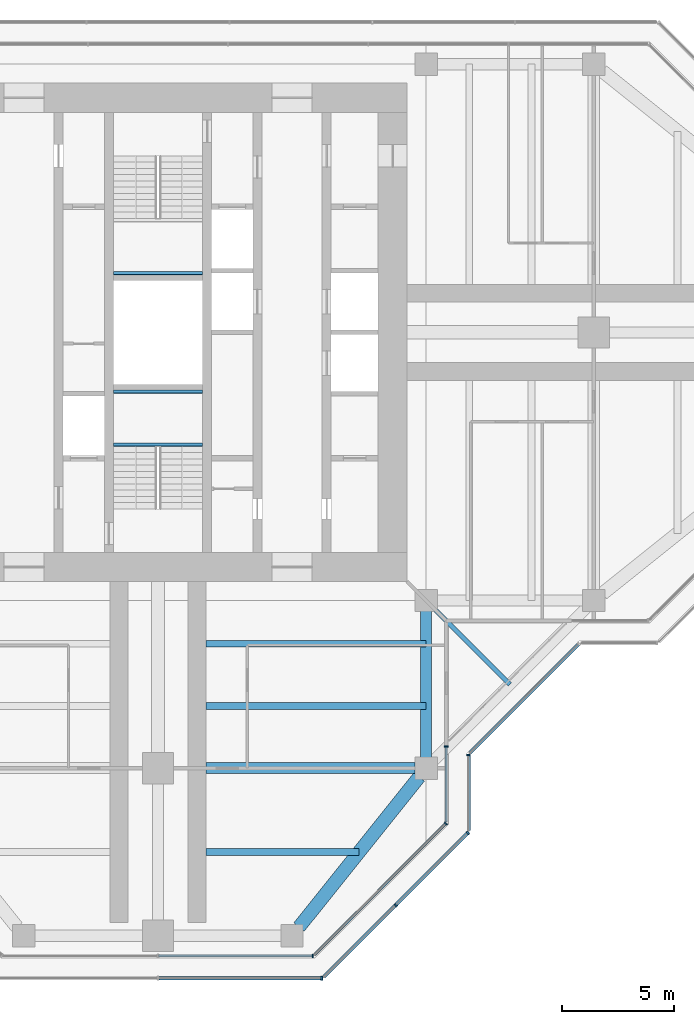
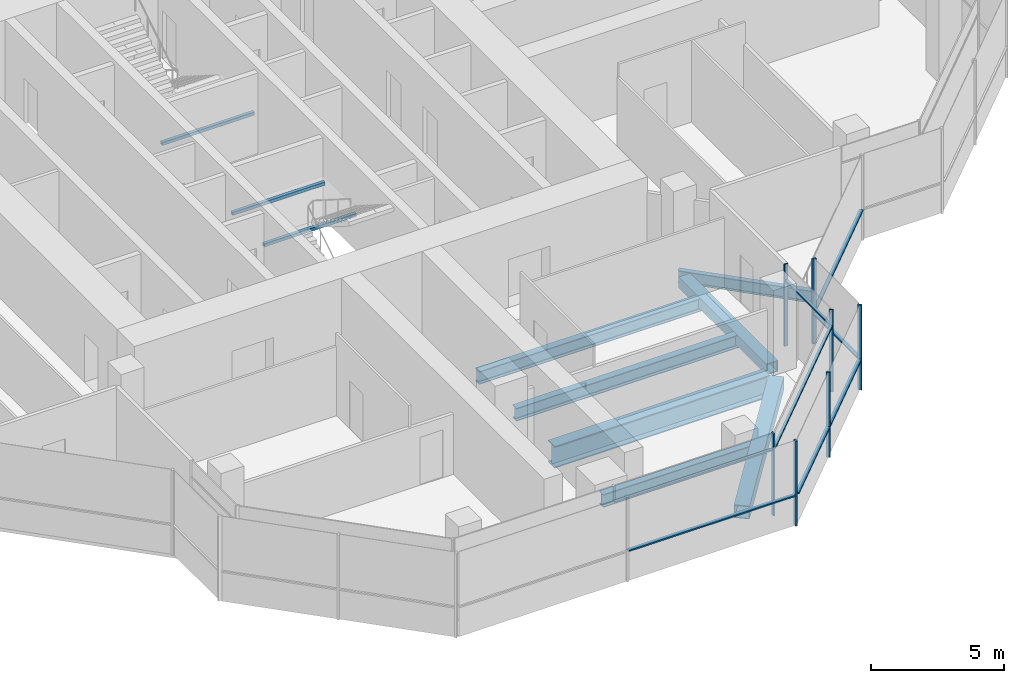
# One storey, part 4 of 16: 15 members, 10 beams, 7 elements without a shape of their own.
"""IFC4 building model written with IfcOpenShell, lengths in metres."""

from ifc_helpers import new_model, si_unit, direction, frame, origin, origin_2d, place, context, subcontext, project, spatial, rectangle, hollow_rectangle, i_section, extrude, material, material_profile, profile_set, type_object, element, aggregate, save


model = new_model("IFC4")

# Units and contexts
model_context = context("Model", 3, precision=1e-05, world=origin(), true_north=direction((0.0, 1.0)))
body_context = subcontext(model_context, "Body", "Model", "MODEL_VIEW")
ifc_project = project(units=[si_unit("LENGTHUNIT", "METRE"), si_unit("AREAUNIT", "SQUARE_METRE"), si_unit("VOLUMEUNIT", "CUBIC_METRE"), si_unit("PLANEANGLEUNIT", "RADIAN"), si_unit("MASSUNIT", "GRAM", prefix="KILO")], contexts=[model_context])

# Site, building, storey
site_placement = place(None, origin())
site = spatial("IfcSite", under=ifc_project, at=site_placement, CompositionType="ELEMENT")
building_placement = place(site_placement, origin())
building = spatial("IfcBuilding", under=site, at=building_placement, Name="Mizan Broadcast Tower", CompositionType="ELEMENT")
storey_placement = place(building_placement, frame((0.0, 0.0, 290.699951171875)))
storey = spatial("IfcBuildingStorey", under=building, at=storey_placement, Name="L69", CompositionType="ELEMENT", Elevation=290.699951171875)

# Beams
ifc_material_1 = material(Name="Steel S355", Category="steel")
ifc_material_profile_1 = material_profile(ifc_material_1, hollow_rectangle(XDim=0.5, YDim=0.5, WallThickness=0.030029296875, at=origin_2d()), Name="BOX 500x500x30")
ifc_profile_set_1 = profile_set([ifc_material_profile_1], Name="Steel S355")
beam_type_1 = type_object("IfcBeamType", Name="EDGE BEAM BOX 500x500x30", PredefinedType="SPANDREL", material=ifc_profile_set_1)
beam_1_placement = place(storey_placement, frame((12.0, -12.449951171875, -0.3798828125), z_axis=(0.0, -1.0, 0.0), x_axis=(1.0, 0.0, 0.0)))
element("IfcBeam", 1, at=beam_1_placement, inside=storey, type_object=beam_type_1, Name="Edge beam BOX 500x500x30 L69 south arm", PredefinedType="SPANDREL", context=body_context, shape_type="SweptSolid", body=[
    extrude(hollow_rectangle(XDim=0.5, YDim=0.5, WallThickness=0.030029296875, at=origin_2d()), origin(), (0.0, 0.0, 1.0), 6.60009765625),
])
ifc_material_2 = material(Name="Steel S355", Category="steel")
ifc_material_profile_2 = material_profile(ifc_material_2, hollow_rectangle(XDim=0.60009765625, YDim=0.60009765625, WallThickness=0.030029296875, at=origin_2d()), Name="BOX 600x600x30")
ifc_profile_set_2 = profile_set([ifc_material_profile_2], Name="Steel S355")
beam_type_2 = type_object("IfcBeamType", Name="EDGE BEAM BOX 600x600x30", PredefinedType="SPANDREL", material=ifc_profile_set_2)
beam_2_placement = place(storey_placement, frame((11.687744140625, -19.890380859375, -0.429931640625), z_axis=(-0.62470196761, -0.780863273348, 0.0), x_axis=(0.780863273348, -0.62470196761, 0.0)))
element("IfcBeam", 2, at=beam_2_placement, inside=storey, type_object=beam_type_2, Name="Edge beam BOX 600x600x30 L69 south arm", PredefinedType="SPANDREL", context=body_context, shape_type="SweptSolid", body=[
    extrude(hollow_rectangle(XDim=0.60009765625, YDim=0.60009765625, WallThickness=0.030029296875, at=origin_2d()), origin(), (0.0, 0.0, 1.0), 8.60498046875),
])
ifc_material_3 = material(Name="Steel S460", Category="steel")
ifc_material_profile_3 = material_profile(ifc_material_3, i_section(OverallWidth=0.5, OverallDepth=1.0, WebThickness=0.02490234375, FlangeThickness=0.050048828125, at=origin_2d()), Name="WPG 1000x500")
ifc_profile_set_3 = profile_set([ifc_material_profile_3], Name="Steel S460")
beam_type_3 = type_object("IfcBeamType", Name="GIRDER WPG 1000x500", PredefinedType="BEAM", material=ifc_profile_set_3)
beam_3_placement = place(storey_placement, frame((11.5, -19.5, -0.6298828125), z_axis=(-1.0, 0.0, 0.0), x_axis=(0.0, -1.0, 0.0)))
element("IfcBeam", 3, at=beam_3_placement, inside=storey, type_object=beam_type_3, Name="Girder WPG 1000x500 L69 south arm", PredefinedType="BEAM", context=body_context, shape_type="SweptSolid", body=[
    extrude(i_section(OverallWidth=0.5, OverallDepth=1.0, WebThickness=0.02490234375, FlangeThickness=0.050048828125, at=origin_2d()), origin(), (0.0, 0.0, 1.0), 9.35009765625),
])

# Curtain wall, member
ifc_material_4 = material(Name="Aluminium framed glazing", Category="aluminium")
curtain_wall_type_1 = type_object("IfcCurtainWallType", Name="INNER SKIN TOP ZONE", PredefinedType="USERDEFINED", material=ifc_material_4)
curtain_wall_1_placement = place(storey_placement, origin())
curtain_wall_1 = element("IfcCurtainWall", 4, at=curtain_wall_1_placement, inside=storey, type_object=curtain_wall_type_1, Name="Inner skin top zone L69 S end", ObjectType="INNER SKIN TOP ZONE", PredefinedType="USERDEFINED")
ifc_material_5 = material(Name="Aluminium, pale anodised", Category="aluminium")
ifc_material_profile_4 = material_profile(ifc_material_5, rectangle(XDim=0.159912109375, YDim=0.06005859375, at=origin_2d()), Name="MULLION 160x60")
ifc_profile_set_4 = profile_set([ifc_material_profile_4], Name="Aluminium, pale anodised")
member_type_1 = type_object("IfcMemberType", Name="INNER SKIN MULLION 60x160", PredefinedType="MULLION", material=ifc_profile_set_4)
member_1_placement = place(storey_placement, frame((6.928466796875, -27.89990234375, 0.0), z_axis=(0.0, 0.0, 1.0), x_axis=(0.0, 1.0, 0.0)))
member_1 = element("IfcMember", 5, at=member_1_placement, type_object=member_type_1, Name="Inner skin top zone L69 S end mullion 3", PredefinedType="MULLION", context=body_context, shape_type="SweptSolid", body=[
    extrude(rectangle(XDim=0.159912109375, YDim=0.06005859375, at=origin_2d()), origin(), (0.0, 0.0, 1.0), 3.77001953125),
])

curtain_wall_2_placement = place(storey_placement, origin())
curtain_wall_2 = element("IfcCurtainWall", 6, at=curtain_wall_2_placement, inside=storey, type_object=curtain_wall_type_1, Name="Inner skin top zone L69 S chamfer", ObjectType="INNER SKIN TOP ZONE", PredefinedType="USERDEFINED")
member_2_placement = place(storey_placement, frame((12.87890625, -21.979736328125, 0.0), z_axis=(0.0, 0.0, 1.0), x_axis=(-0.707106781187, 0.707106781187, 0.0)))
member_2 = element("IfcMember", 7, at=member_2_placement, type_object=member_type_1, Name="Inner skin top zone L69 S chamfer mullion 2", PredefinedType="MULLION", context=body_context, shape_type="SweptSolid", body=[
    extrude(rectangle(XDim=0.159912109375, YDim=0.06005859375, at=origin_2d()), origin(), (0.0, 0.0, 1.0), 3.77001953125),
])

curtain_wall_3_placement = place(storey_placement, origin())
curtain_wall_3 = element("IfcCurtainWall", 8, at=curtain_wall_3_placement, inside=storey, type_object=curtain_wall_type_1, Name="Inner skin top zone L69 S side", ObjectType="INNER SKIN TOP ZONE", PredefinedType="USERDEFINED")
member_3_placement = place(storey_placement, frame((12.89990234375, -18.530029296875, 0.0), z_axis=(0.0, 0.0, 1.0), x_axis=(-1.0, 0.0, 0.0)))
member_3 = element("IfcMember", 9, at=member_3_placement, type_object=member_type_1, Name="Inner skin top zone L69 S side mullion 2", PredefinedType="MULLION", context=body_context, shape_type="SweptSolid", body=[
    extrude(rectangle(XDim=0.159912109375, YDim=0.06005859375, at=origin_2d()), origin(), (0.0, 0.0, 1.0), 3.77001953125),
])

# Member
ifc_material_6 = material(Name="Aluminium, pale anodised", Category="aluminium")
ifc_material_profile_5 = material_profile(ifc_material_6, rectangle(XDim=0.1201171875, YDim=0.06005859375, at=origin_2d()), Name="TRANSOM 120x60")
ifc_profile_set_5 = profile_set([ifc_material_profile_5], Name="Aluminium, pale anodised")
member_type_2 = type_object("IfcMemberType", Name="INNER SKIN TRANSOM 60x120", PredefinedType="USERDEFINED", material=ifc_profile_set_5)
member_4_placement = place(storey_placement, frame((0.030029296875, -27.89990234375, 3.030029296875), z_axis=(1.0, 0.0, 0.0), x_axis=(0.0, 1.0, 0.0)))
member_4 = element("IfcMember", 10, at=member_4_placement, type_object=member_type_2, Name="Inner skin top zone L69 S end transom 2.1", ObjectType="TRANSOM", PredefinedType="USERDEFINED", context=body_context, shape_type="SweptSolid", body=[
    extrude(rectangle(XDim=0.1201171875, YDim=0.06005859375, at=origin_2d()), origin(), (0.0, 0.0, 1.0), 6.86865234375),
])

aggregate(curtain_wall_1, [member_1, member_4])

member_5_placement = place(storey_placement, frame((7.0009765625, -27.857666015625, 3.030029296875), z_axis=(0.707106781187, 0.707106781187, 0.0), x_axis=(-0.707106781187, 0.707106781187, 0.0)))
member_5 = element("IfcMember", 11, at=member_5_placement, type_object=member_type_2, Name="Inner skin top zone L69 S chamfer transom 1.1", ObjectType="TRANSOM", PredefinedType="USERDEFINED", context=body_context, shape_type="SweptSolid", body=[
    extrude(rectangle(XDim=0.1201171875, YDim=0.06005859375, at=origin_2d()), origin(), (0.0, 0.0, 1.0), 8.28271484375),
])

aggregate(curtain_wall_2, [member_2, member_5])

member_6_placement = place(storey_placement, frame((12.89990234375, -21.898681640625, 3.030029296875), z_axis=(0.0, 1.0, 0.0), x_axis=(-1.0, 0.0, 0.0)))
member_6 = element("IfcMember", 12, at=member_6_placement, type_object=member_type_2, Name="Inner skin top zone L69 S side transom 1.1", ObjectType="TRANSOM", PredefinedType="USERDEFINED", context=body_context, shape_type="SweptSolid", body=[
    extrude(rectangle(XDim=0.1201171875, YDim=0.06005859375, at=origin_2d()), origin(), (0.0, 0.0, 1.0), 3.338623046875),
])

aggregate(curtain_wall_3, [member_3, member_6])

# Beams
ifc_material_7 = material(Name="Steel S355", Category="steel")
ifc_material_profile_6 = material_profile(ifc_material_7, hollow_rectangle(XDim=0.14990234375, YDim=0.14990234375, WallThickness=0.008056640625, InnerFilletRadius=0.008056640625, OuterFilletRadius=0.011962890625, at=origin_2d()), Name="SHS 150x150x8")
ifc_profile_set_6 = profile_set([ifc_material_profile_6], Name="Steel S355")
beam_type_4 = type_object("IfcBeamType", Name="LANDING TRIMMER SHS 150x150x8", PredefinedType="BEAM", material=ifc_profile_set_6)
for number, where, z_axis, x_axis, name in (
    (13, (-2.0, -5.02490234375, 1.675048828125), (1.0, 0.0, 0.0), (0.0, 1.0, 0.0), "Stair A landing trimmer L69"),
    (14, (-2.0, -2.64990234375, 1.675048828125), (1.0, 0.0, 0.0), (0.0, 1.0, 0.0), "Stair A landing trimmer L69"),
    (15, (2.0, 2.64990234375, 1.675048828125), (-1.0, 0.0, 0.0), (0.0, -1.0, 0.0), "Stair B landing trimmer L69"),
):
    element("IfcBeam", number, at=place(storey_placement, frame(where, z_axis=z_axis, x_axis=x_axis)), inside=storey, type_object=beam_type_4, Name=name, PredefinedType="BEAM", context=body_context, shape_type="SweptSolid", body=[
        extrude(hollow_rectangle(XDim=0.14990234375, YDim=0.14990234375, WallThickness=0.008056640625, InnerFilletRadius=0.008056640625, OuterFilletRadius=0.011962890625, at=origin_2d()), origin(), (0.0, 0.0, 1.0), 4.0),
    ])

# Curtain wall, member
ifc_material_8 = material(Name="Aluminium framed glazing", Category="aluminium")
curtain_wall_type_2 = type_object("IfcCurtainWallType", Name="OUTER SKIN", PredefinedType="USERDEFINED", material=ifc_material_8)
curtain_wall_4_placement = place(storey_placement, origin())
curtain_wall_4 = element("IfcCurtainWall", 16, at=curtain_wall_4_placement, inside=storey, type_object=curtain_wall_type_2, Name="Outer skin L69 S end", ObjectType="OUTER SKIN", PredefinedType="USERDEFINED")
ifc_material_9 = material(Name="Aluminium, pale anodised", Category="aluminium")
ifc_material_profile_7 = material_profile(ifc_material_9, rectangle(XDim=0.159912109375, YDim=0.080078125, at=origin_2d()), Name="MULLION 160x80")
ifc_profile_set_7 = profile_set([ifc_material_profile_7], Name="Aluminium, pale anodised")
member_type_3 = type_object("IfcMemberType", Name="OUTER SKIN MULLION 80x160", PredefinedType="MULLION", material=ifc_profile_set_7)
member_7_placement = place(storey_placement, frame((7.332763671875, -28.89990234375, 0.0), z_axis=(0.0, 0.0, 1.0), x_axis=(0.0, 1.0, 0.0)))
member_7 = element("IfcMember", 17, at=member_7_placement, type_object=member_type_3, Name="Outer skin L69 S end mullion 3", PredefinedType="MULLION", context=body_context, shape_type="SweptSolid", body=[
    extrude(rectangle(XDim=0.159912109375, YDim=0.080078125, at=origin_2d()), origin(), (0.0, 0.0, 1.0), 3.900146484375),
])

# Curtain wall, members
curtain_wall_5_placement = place(storey_placement, origin())
curtain_wall_5 = element("IfcCurtainWall", 18, at=curtain_wall_5_placement, inside=storey, type_object=curtain_wall_type_2, Name="Outer skin L69 S chamfer", ObjectType="OUTER SKIN", PredefinedType="USERDEFINED")
member_8_placement = place(storey_placement, frame((10.636474609375, -25.636474609375, 0.0), z_axis=(0.0, 0.0, 1.0), x_axis=(-0.707106781187, 0.707106781187, 0.0)))
member_8 = element("IfcMember", 19, at=member_8_placement, type_object=member_type_3, Name="Outer skin L69 S chamfer mullion 2", PredefinedType="MULLION", context=body_context, shape_type="SweptSolid", body=[
    extrude(rectangle(XDim=0.159912109375, YDim=0.080078125, at=origin_2d()), origin(), (0.0, 0.0, 1.0), 3.900146484375),
])
member_9_placement = place(storey_placement, frame((13.871826171875, -22.401123046875, 0.0), z_axis=(0.0, 0.0, 1.0), x_axis=(-0.707106781187, 0.707106781187, 0.0)))
member_9 = element("IfcMember", 20, at=member_9_placement, type_object=member_type_3, Name="Outer skin L69 S chamfer mullion 3", PredefinedType="MULLION", context=body_context, shape_type="SweptSolid", body=[
    extrude(rectangle(XDim=0.159912109375, YDim=0.080078125, at=origin_2d()), origin(), (0.0, 0.0, 1.0), 3.900146484375),
])

# Curtain wall, member
curtain_wall_6_placement = place(storey_placement, origin())
curtain_wall_6 = element("IfcCurtainWall", 21, at=curtain_wall_6_placement, inside=storey, type_object=curtain_wall_type_2, Name="Outer skin L69 S side", ObjectType="OUTER SKIN", PredefinedType="USERDEFINED")
member_10_placement = place(storey_placement, frame((13.89990234375, -18.912841796875, 0.0), z_axis=(0.0, 0.0, 1.0), x_axis=(-1.0, 0.0, 0.0)))
member_10 = element("IfcMember", 22, at=member_10_placement, type_object=member_type_3, Name="Outer skin L69 S side mullion 2", PredefinedType="MULLION", context=body_context, shape_type="SweptSolid", body=[
    extrude(rectangle(XDim=0.159912109375, YDim=0.080078125, at=origin_2d()), origin(), (0.0, 0.0, 1.0), 3.900146484375),
])

# Member
ifc_material_10 = material(Name="Aluminium, pale anodised", Category="aluminium")
ifc_material_profile_8 = material_profile(ifc_material_10, rectangle(XDim=0.159912109375, YDim=0.06005859375, at=origin_2d()), Name="TRANSOM 160x60")
ifc_profile_set_8 = profile_set([ifc_material_profile_8], Name="Aluminium, pale anodised")
member_type_4 = type_object("IfcMemberType", Name="OUTER SKIN TRANSOM 60x160", PredefinedType="USERDEFINED", material=ifc_profile_set_8)
member_11_placement = place(storey_placement, frame((0.0400390625, -28.89990234375, 1.400146484375), z_axis=(1.0, 0.0, 0.0), x_axis=(0.0, 1.0, 0.0)))
member_11 = element("IfcMember", 23, at=member_11_placement, type_object=member_type_4, Name="Outer skin L69 S end transom 2.1", ObjectType="TRANSOM", PredefinedType="USERDEFINED", context=body_context, shape_type="SweptSolid", body=[
    extrude(rectangle(XDim=0.159912109375, YDim=0.06005859375, at=origin_2d()), origin(), (0.0, 0.0, 1.0), 7.252685546875),
])

aggregate(curtain_wall_4, [member_7, member_11])

member_12_placement = place(storey_placement, frame((7.429443359375, -28.843505859375, 1.400146484375), z_axis=(0.707106781187, 0.707106781187, 0.0), x_axis=(-0.707106781187, 0.707106781187, 0.0)))
member_12 = element("IfcMember", 24, at=member_12_placement, type_object=member_type_4, Name="Outer skin L69 S chamfer transom 1.1", ObjectType="TRANSOM", PredefinedType="USERDEFINED", context=body_context, shape_type="SweptSolid", body=[
    extrude(rectangle(XDim=0.159912109375, YDim=0.06005859375, at=origin_2d()), origin(), (0.0, 0.0, 1.0), 4.495361328125),
])

member_13_placement = place(storey_placement, frame((10.664794921875, -25.608154296875, 1.400146484375), z_axis=(0.707106781187, 0.707106781187, 0.0), x_axis=(-0.707106781187, 0.707106781187, 0.0)))
member_13 = element("IfcMember", 25, at=member_13_placement, type_object=member_type_4, Name="Outer skin L69 S chamfer transom 2.1", ObjectType="TRANSOM", PredefinedType="USERDEFINED", context=body_context, shape_type="SweptSolid", body=[
    extrude(rectangle(XDim=0.159912109375, YDim=0.06005859375, at=origin_2d()), origin(), (0.0, 0.0, 1.0), 4.495361328125),
])

aggregate(curtain_wall_5, [member_8, member_9, member_12, member_13])

member_14_placement = place(storey_placement, frame((13.89990234375, -22.292724609375, 1.400146484375), z_axis=(0.0, 1.0, 0.0), x_axis=(-1.0, 0.0, 0.0)))
member_14 = element("IfcMember", 26, at=member_14_placement, type_object=member_type_4, Name="Outer skin L69 S side transom 1.1", ObjectType="TRANSOM", PredefinedType="USERDEFINED", context=body_context, shape_type="SweptSolid", body=[
    extrude(rectangle(XDim=0.159912109375, YDim=0.06005859375, at=origin_2d()), origin(), (0.0, 0.0, 1.0), 3.33984375),
])

aggregate(curtain_wall_6, [member_10, member_14])

# Curtain wall, member
curtain_wall_7_placement = place(storey_placement, origin())
curtain_wall_7 = element("IfcCurtainWall", 27, at=curtain_wall_7_placement, inside=storey, type_object=curtain_wall_type_2, Name="Outer skin L69 E chamfer", ObjectType="OUTER SKIN", PredefinedType="USERDEFINED")
member_15_placement = place(storey_placement, frame((13.95654296875, -18.816162109375, 1.400146484375), z_axis=(0.707106781187, 0.707106781187, 0.0), x_axis=(-0.707106781187, 0.707106781187, 0.0)))
member_15 = element("IfcMember", 28, at=member_15_placement, type_object=member_type_4, Name="Outer skin L69 E chamfer transom 1.1", ObjectType="TRANSOM", PredefinedType="USERDEFINED", context=body_context, shape_type="SweptSolid", body=[
    extrude(rectangle(XDim=0.159912109375, YDim=0.06005859375, at=origin_2d()), origin(), (0.0, 0.0, 1.0), 6.87255859375),
])
aggregate(curtain_wall_7, [member_15])

# Beams
ifc_material_11 = material(Name="Steel S355", Category="steel")
ifc_material_profile_9 = material_profile(ifc_material_11, i_section(OverallWidth=0.300048828125, OverallDepth=0.590087890625, WebThickness=0.012939453125, FlangeThickness=0.02490234375, FilletRadius=0.027099609375, at=origin_2d()), Name="HEA 600")
ifc_profile_set_9 = profile_set([ifc_material_profile_9], Name="Steel S355")
beam_type_5 = type_object("IfcBeamType", Name="SECONDARY BEAM HEA 600", PredefinedType="JOIST", material=ifc_profile_set_9)
for number, where, z_axis, x_axis, name in (
    (29, (12.0, -13.933349609375, -0.425048828125), (-1.0, 0.0, 0.0), (0.0, -1.0, 0.0), "Secondary beam HEA 600 L69 south arm"),
    (30, (12.0, -16.716552734375, -0.425048828125), (-1.0, 0.0, 0.0), (0.0, -1.0, 0.0), "Secondary beam HEA 600 L69 south arm"),
):
    element("IfcBeam", number, at=place(storey_placement, frame(where, z_axis=z_axis, x_axis=x_axis)), inside=storey, type_object=beam_type_5, Name=name, PredefinedType="JOIST", context=body_context, shape_type="SweptSolid", body=[
        extrude(i_section(OverallWidth=0.300048828125, OverallDepth=0.590087890625, WebThickness=0.012939453125, FlangeThickness=0.02490234375, FilletRadius=0.027099609375, at=origin_2d()), origin(), (0.0, 0.0, 1.0), 9.85009765625),
    ])
beam_4_placement = place(storey_placement, frame((9.0, -23.25, -0.425048828125), z_axis=(-1.0, 0.0, 0.0), x_axis=(0.0, -1.0, 0.0)))
element("IfcBeam", 31, at=beam_4_placement, inside=storey, type_object=beam_type_5, Name="Secondary beam HEA 600 L69 south arm", PredefinedType="JOIST", context=body_context, shape_type="SweptSolid", body=[
    extrude(i_section(OverallWidth=0.300048828125, OverallDepth=0.590087890625, WebThickness=0.012939453125, FlangeThickness=0.02490234375, FilletRadius=0.027099609375, at=origin_2d()), origin(), (0.0, 0.0, 1.0), 6.85009765625),
])
ifc_material_12 = material(Name="Steel S355", Category="steel")
ifc_material_profile_10 = material_profile(ifc_material_12, i_section(OverallWidth=0.2099609375, OverallDepth=0.550048828125, WebThickness=0.010986328125, FlangeThickness=0.01708984375, FilletRadius=0.02392578125, at=origin_2d()), Name="IPE 550")
ifc_profile_set_10 = profile_set([ifc_material_profile_10], Name="Steel S355")
beam_type_6 = type_object("IfcBeamType", Name="SECONDARY BEAM IPE 550", PredefinedType="JOIST", material=ifc_profile_set_10)
beam_5_placement = place(storey_placement, frame((12.0, -12.0, -0.405029296875), z_axis=(0.707106781187, -0.707106781187, 0.0), x_axis=(0.707106781187, 0.707106781187, 0.0)))
element("IfcBeam", 32, at=beam_5_placement, inside=storey, type_object=beam_type_6, Name="Winter garden beam L69 S", PredefinedType="JOIST", context=body_context, shape_type="SweptSolid", body=[
    extrude(i_section(OverallWidth=0.2099609375, OverallDepth=0.550048828125, WebThickness=0.010986328125, FlangeThickness=0.01708984375, FilletRadius=0.02392578125, at=origin_2d()), origin(), (0.0, 0.0, 1.0), 5.30322265625),
])

save(model, "model.ifc")
